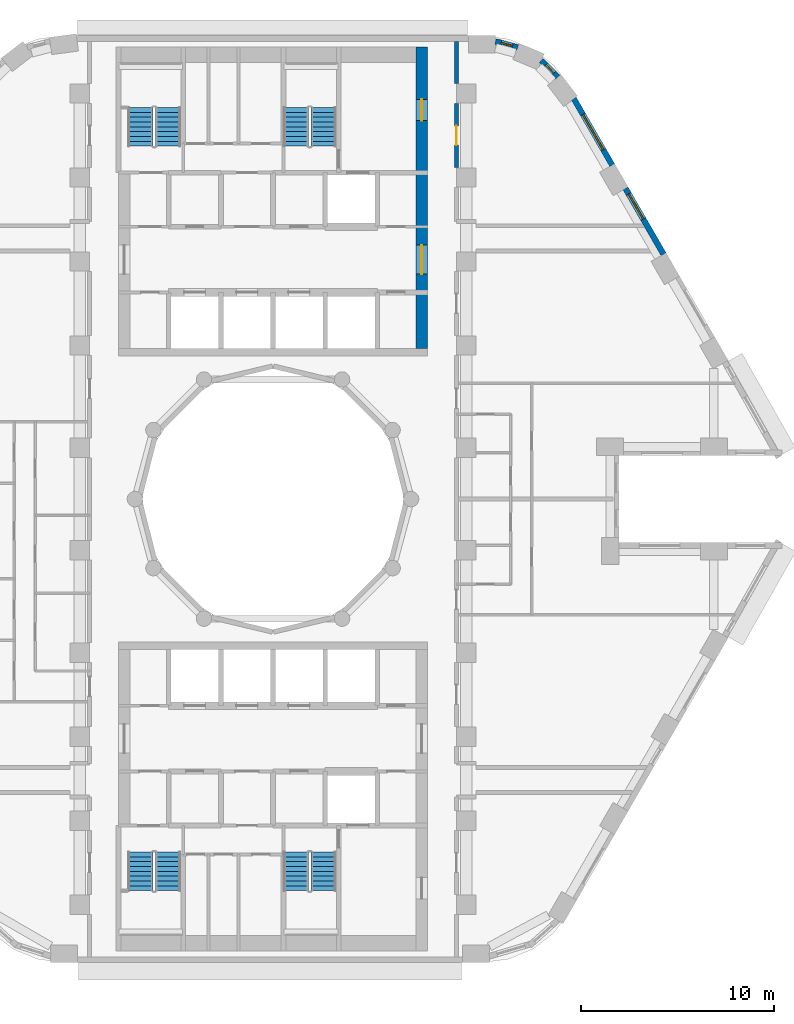
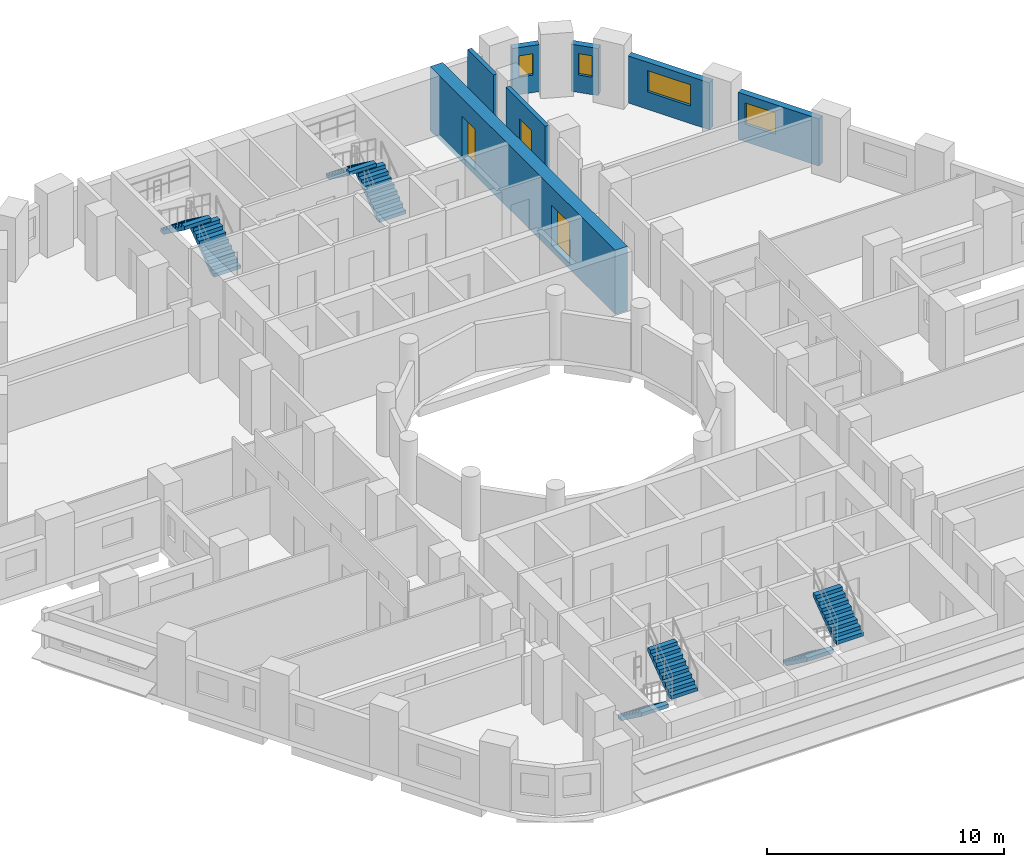
# One storey, part 9 of 12: 8 stair flights, 7 walls, 4 windows, 3 doors, 7 openings, 4 elements without a shape of their own.
"""IFC4 building model written with IfcOpenShell, lengths in metres."""

from ifc_helpers import new_model, si_unit, direction, frame, frame_2d, origin, place, context, subcontext, project, spatial, polyline, rectangle, outline, extrude, material, layer, layer_set, type_object, element, fill, aggregate, save


model = new_model("IFC4")

# Units and contexts
model_context = context("Model", 3, precision=1e-05, world=origin(), true_north=direction((0.0, 1.0)))
body_context = subcontext(model_context, "Body", "Model", "MODEL_VIEW")
ifc_project = project(units=[si_unit("LENGTHUNIT", "METRE"), si_unit("AREAUNIT", "SQUARE_METRE"), si_unit("VOLUMEUNIT", "CUBIC_METRE"), si_unit("PLANEANGLEUNIT", "RADIAN"), si_unit("MASSUNIT", "GRAM", prefix="KILO")], contexts=[model_context])

# Site, building, storey
site_placement = place(None, origin())
site = spatial("IfcSite", under=ifc_project, at=site_placement, CompositionType="ELEMENT")
building_placement = place(site_placement, origin())
building = spatial("IfcBuilding", under=site, at=building_placement, Name="Nakaniwa Court", CompositionType="ELEMENT")
storey_placement = place(building_placement, frame((0.0, 0.0, 87.60009765625)))
storey = spatial("IfcBuildingStorey", under=building, at=storey_placement, Name="L22", CompositionType="ELEMENT", Elevation=87.60009765625)

# Wall, opening, door
ifc_material_1 = material(Name="Acoustic double stud partition")
ifc_layer_1 = layer(ifc_material_1, 0.199951171875)
ifc_layer_set_1 = layer_set([ifc_layer_1], Name="Acoustic double stud partition")
wall_type_1 = type_object("IfcWallType", Name="Acoustic double stud partition 200", PredefinedType="PARTITIONING", material=ifc_layer_set_1)
wall_1_placement = place(storey_placement, frame((89.5, 100.48291015625, 0.0), z_axis=(0.0, 0.0, 1.0), x_axis=(0.0, -1.0, 0.0)))
wall_1 = element("IfcWall", 1, at=wall_1_placement, inside=storey, type_object=wall_type_1, Name="Partition PW-079", PredefinedType="PARTITIONING", context=body_context, shape_type="SweptSolid", body=[
    extrude(rectangle(XDim=3.31591796875, YDim=0.199951171875, at=frame_2d((1.657958984375, 0.0))), origin(), (0.0, 0.0, 1.0), 3.02490234375),
])
opening_1_placement = place(wall_1_placement, frame((1.157958984375, 0.0, 0.0)))
opening_1 = element("IfcOpeningElement", 2, at=opening_1_placement, cuts=wall_1, Name="Opening D-02-07", PredefinedType="OPENING", context=body_context, shape_type="SweptSolid", body=[
    extrude(rectangle(XDim=1.0, YDim=2.10009765625, at=frame_2d((0.5, 1.050048828125))), frame((0.0, 0.10986328125, 0.0), z_axis=(0.0, -1.0, 0.0), x_axis=(1.0, 0.0, 0.0)), (0.0, 0.0, 1.0), 0.219970703125),
])
ifc_material_2 = material(Name="Solid core timber door set, black veneer", Category="wood")
door_type_1 = type_object("IfcDoorType", Name="Internal door 1000", OperationType="NOTDEFINED", PredefinedType="DOOR", material=ifc_material_2)
door_1_placement = place(opening_1_placement, origin())
door_1 = element("IfcDoor", 3, at=door_1_placement, inside=storey, type_object=door_type_1, Name="Door D-02-07 L22-049", OperationType="SINGLE_SWING_RIGHT", OverallHeight=2.10009765625, OverallWidth=1.0, PredefinedType="DOOR", context=body_context, shape_type="SweptSolid", body=[
    extrude(rectangle(XDim=1.0, YDim=2.10009765625, at=frame_2d((0.5, 1.050048828125))), frame((0.0, 0.02490234375, 0.0), z_axis=(0.0, -1.0, 0.0), x_axis=(1.0, 0.0, 0.0)), (0.0, 0.0, 1.0), 0.050048828125),
])
fill(opening_1, door_1)

# Wall
wall_2_placement = place(storey_placement, frame((89.5, 101.51708984375, 0.0), z_axis=(0.0, 0.0, 1.0), x_axis=(0.0, 1.0, 0.0)))
element("IfcWall", 4, at=wall_2_placement, inside=storey, type_object=wall_type_1, Name="Partition PW-080", PredefinedType="PARTITIONING", context=body_context, shape_type="SweptSolid", body=[
    extrude(rectangle(XDim=2.182861328125, YDim=0.199951171875, at=frame_2d((1.09130859375, 0.0))), origin(), (0.0, 0.0, 1.0), 3.02490234375),
])

# Wall, opening, window
ifc_material_3 = material(Name="Charcoal ceramic cladding")
ifc_layer_2 = layer(ifc_material_3, 0.02, Name="Ceramic cladding")
ifc_material_4 = material(Name="Ventilated air cavity")
ifc_layer_3 = layer(ifc_material_4, 0.04, ventilated=True, Name="Ventilated cavity")
ifc_material_5 = material(Name="Mineral wool insulation")
ifc_layer_4 = layer(ifc_material_5, 0.1, Name="Insulation")
ifc_material_6 = material(Name="Cement bonded sheathing board")
ifc_layer_5 = layer(ifc_material_6, 0.012, Name="Sheathing")
ifc_material_7 = material(Name="Cold-formed galvanised stud frame with mineral wool infill")
ifc_layer_6 = layer(ifc_material_7, 0.1, Name="Stud frame")
ifc_material_8 = material(Name="Fire-rated gypsum plasterboard lining")
ifc_layer_7 = layer(ifc_material_8, 0.028, Name="Lining")
ifc_layer_set_2 = layer_set([ifc_layer_2, ifc_layer_3, ifc_layer_4, ifc_layer_5, ifc_layer_6, ifc_layer_7], Name="Charcoal ceramic faced external wall system")
wall_type_2 = type_object("IfcWallType", Name="Black ceramic faced external wall 300", PredefinedType="SOLIDWALL", material=ifc_layer_set_2)
wall_3_placement = place(storey_placement, frame((100.22021484375, 92.677490234375, 0.0), z_axis=(0.0, 0.0, 1.0), x_axis=(-0.499957037901, 0.866050206543, 0.0)))
wall_3 = element("IfcWall", 5, at=wall_3_placement, inside=storey, type_object=wall_type_2, Name="L22 external wall 04", PredefinedType="SOLIDWALL", context=body_context, shape_type="SweptSolid", body=[
    extrude(rectangle(XDim=3.933837890625, YDim=0.300048828125, at=frame_2d((1.966796875, 0.0))), origin(), (0.0, 0.0, 1.0), 2.4248046875),
])
opening_2_placement = place(wall_3_placement, frame((2.104248046875, 0.0, 0.89990234375)))
opening_2 = element("IfcOpeningElement", 6, at=opening_2_placement, cuts=wall_3, Name="Opening W5.06", PredefinedType="OPENING", context=body_context, shape_type="SweptSolid", body=[
    extrude(rectangle(XDim=1.5, YDim=1.10009765625, at=frame_2d((0.75, 0.550048828125))), frame((0.0, 0.159912109375, 0.0), z_axis=(0.0, -1.0, 0.0), x_axis=(1.0, 0.0, 0.0)), (0.0, 0.0, 1.0), 0.320068359375),
])
ifc_material_9 = material(Name="Black anodised aluminium frame with dark low-E laminated double glazing", Category="aluminium")
window_type_1 = type_object("IfcWindowType", Name="Dark glass window 1500x1100 sill 900", PartitioningType="SINGLE_PANEL", PredefinedType="WINDOW", material=ifc_material_9)
window_1_placement = place(opening_2_placement, origin())
window_1 = element("IfcWindow", 7, at=window_1_placement, inside=storey, type_object=window_type_1, Name="L22 habitable room window 04-2", OverallHeight=1.10009765625, OverallWidth=1.5, PartitioningType="SINGLE_PANEL", PredefinedType="WINDOW", context=body_context, shape_type="SweptSolid", body=[
    extrude(rectangle(XDim=1.5, YDim=1.10009765625, at=frame_2d((0.75, 0.550048828125))), frame((0.0, 0.030029296875, 0.0), z_axis=(0.0, -1.0, 0.0), x_axis=(1.0, 0.0, 0.0)), (0.0, 0.0, 1.0), 0.06005859375),
])
fill(opening_2, window_1)

wall_4_placement = place(storey_placement, frame((97.557373046875, 97.289794921875, 0.0), z_axis=(0.0, 0.0, 1.0), x_axis=(-0.500043828347, 0.866000097998, 0.0)))
wall_4 = element("IfcWall", 8, at=wall_4_placement, inside=storey, type_object=wall_type_2, Name="L22 external wall 05", PredefinedType="SOLIDWALL", context=body_context, shape_type="SweptSolid", body=[
    extrude(rectangle(XDim=3.967529296875, YDim=0.300048828125, at=frame_2d((1.98388671875, 0.0))), origin(), (0.0, 0.0, 1.0), 2.4248046875),
])
opening_3_placement = place(wall_4_placement, frame((0.92236328125, 0.0, 0.89990234375)))
opening_3 = element("IfcOpeningElement", 9, at=opening_3_placement, cuts=wall_4, Name="Opening W7.07", PredefinedType="OPENING", context=body_context, shape_type="SweptSolid", body=[
    extrude(rectangle(XDim=2.10009765625, YDim=1.10009765625, at=frame_2d((1.050048828125, 0.550048828125))), frame((0.0, 0.159912109375, 0.0), z_axis=(0.0, -1.0, 0.0), x_axis=(1.0, 0.0, 0.0)), (0.0, 0.0, 1.0), 0.320068359375),
])
window_type_2 = type_object("IfcWindowType", Name="Dark glass window 2100x1100 sill 900", PartitioningType="SINGLE_PANEL", PredefinedType="WINDOW", material=ifc_material_9)
window_2_placement = place(opening_3_placement, origin())
window_2 = element("IfcWindow", 10, at=window_2_placement, inside=storey, type_object=window_type_2, Name="L22 habitable room window 05-0", OverallHeight=1.10009765625, OverallWidth=2.10009765625, PartitioningType="SINGLE_PANEL", PredefinedType="WINDOW", context=body_context, shape_type="SweptSolid", body=[
    extrude(rectangle(XDim=2.10009765625, YDim=1.10009765625, at=frame_2d((1.050048828125, 0.550048828125))), frame((0.0, 0.030029296875, 0.0), z_axis=(0.0, -1.0, 0.0), x_axis=(1.0, 0.0, 0.0)), (0.0, 0.0, 1.0), 0.06005859375),
])
fill(opening_3, window_2)

wall_5_placement = place(storey_placement, frame((94.738037109375, 101.839111328125, 0.0), z_axis=(0.0, 0.0, 1.0), x_axis=(-0.697032216592, 0.717039809936, 0.0)))
wall_5 = element("IfcWall", 11, at=wall_5_placement, inside=storey, type_object=wall_type_2, Name="L22 external wall 06", PredefinedType="SOLIDWALL", context=body_context, shape_type="SweptSolid", body=[
    extrude(rectangle(XDim=1.2080078125, YDim=0.300048828125, at=frame_2d((0.60400390625, 0.0))), origin(), (0.0, 0.0, 1.0), 2.4248046875),
])
opening_4_placement = place(wall_5_placement, frame((0.279296875, 0.0, 0.89990234375)))
opening_4 = element("IfcOpeningElement", 12, at=opening_4_placement, cuts=wall_5, Name="Opening W8.08", PredefinedType="OPENING", context=body_context, shape_type="SweptSolid", body=[
    extrude(rectangle(XDim=0.60009765625, YDim=1.10009765625, at=frame_2d((0.300048828125, 0.550048828125))), frame((0.0, 0.159912109375, 0.0), z_axis=(0.0, -1.0, 0.0), x_axis=(1.0, 0.0, 0.0)), (0.0, 0.0, 1.0), 0.320068359375),
])
window_type_3 = type_object("IfcWindowType", Name="Dark glass window 600x1100 sill 900", PartitioningType="SINGLE_PANEL", PredefinedType="WINDOW", material=ifc_material_9)
window_3_placement = place(opening_4_placement, origin())
window_3 = element("IfcWindow", 13, at=window_3_placement, inside=storey, type_object=window_type_3, Name="L22 habitable room window 06-0", OverallHeight=1.10009765625, OverallWidth=0.60009765625, PartitioningType="SINGLE_PANEL", PredefinedType="WINDOW", context=body_context, shape_type="SweptSolid", body=[
    extrude(rectangle(XDim=0.60009765625, YDim=1.10009765625, at=frame_2d((0.300048828125, 0.550048828125))), frame((0.0, 0.030029296875, 0.0), z_axis=(0.0, -1.0, 0.0), x_axis=(1.0, 0.0, 0.0)), (0.0, 0.0, 1.0), 0.06005859375),
])
fill(opening_4, window_3)

wall_6_placement = place(storey_placement, frame((92.669189453125, 103.3818359375, 0.0), z_axis=(0.0, 0.0, 1.0), x_axis=(-0.965278131029, 0.261224290136, 0.0)))
wall_6 = element("IfcWall", 14, at=wall_6_placement, inside=storey, type_object=wall_type_2, Name="L22 external wall 07", PredefinedType="SOLIDWALL", context=body_context, shape_type="SweptSolid", body=[
    extrude(rectangle(XDim=1.189697265625, YDim=0.300048828125, at=frame_2d((0.5947265625, 0.0))), origin(), (0.0, 0.0, 1.0), 2.4248046875),
])
opening_5_placement = place(wall_6_placement, frame((0.28466796875, 0.0, 0.89990234375)))
opening_5 = element("IfcOpeningElement", 15, at=opening_5_placement, cuts=wall_6, Name="Opening W8.09", PredefinedType="OPENING", context=body_context, shape_type="SweptSolid", body=[
    extrude(rectangle(XDim=0.60009765625, YDim=1.10009765625, at=frame_2d((0.300048828125, 0.550048828125))), frame((0.0, 0.159912109375, 0.0), z_axis=(0.0, -1.0, 0.0), x_axis=(1.0, 0.0, 0.0)), (0.0, 0.0, 1.0), 0.320068359375),
])
window_4_placement = place(opening_5_placement, origin())
window_4 = element("IfcWindow", 16, at=window_4_placement, inside=storey, type_object=window_type_3, Name="L22 habitable room window 07-0", OverallHeight=1.10009765625, OverallWidth=0.60009765625, PartitioningType="SINGLE_PANEL", PredefinedType="WINDOW", context=body_context, shape_type="SweptSolid", body=[
    extrude(rectangle(XDim=0.60009765625, YDim=1.10009765625, at=frame_2d((0.300048828125, 0.550048828125))), frame((0.0, 0.030029296875, 0.0), z_axis=(0.0, -1.0, 0.0), x_axis=(1.0, 0.0, 0.0)), (0.0, 0.0, 1.0), 0.06005859375),
])
fill(opening_5, window_4)

# Wall, openings, doors
ifc_material_10 = material(Name="Concrete C80/100", Category="concrete")
ifc_layer_8 = layer(ifc_material_10, 0.60009765625)
ifc_layer_set_3 = layer_set([ifc_layer_8], Name="Concrete C80/100")
wall_type_3 = type_object("IfcWallType", Name="Concrete core side wall 600 C80", PredefinedType="SHEAR", material=ifc_layer_set_3)
wall_7_placement = place(storey_placement, frame((87.699951171875, 103.39990234375, -0.275146484375), z_axis=(0.0, 0.0, 1.0), x_axis=(0.0, -1.0, 0.0)))
wall_7 = element("IfcWall", 17, at=wall_7_placement, inside=storey, type_object=wall_type_3, Name="Core wall SW-15", PredefinedType="SHEAR", context=body_context, shape_type="SweptSolid", body=[
    extrude(rectangle(XDim=15.599853515625, YDim=0.60009765625, at=frame_2d((7.7998046875, 0.0))), origin(), (0.0, 0.0, 1.0), 3.300048828125),
])
opening_6_placement = place(wall_7_placement, frame((10.25, 0.0, 0.27490234375)))
opening_6 = element("IfcOpeningElement", 18, at=opening_6_placement, cuts=wall_7, Name="Opening D-07-01", PredefinedType="OPENING", context=body_context, shape_type="SweptSolid", body=[
    extrude(rectangle(XDim=1.5, YDim=2.10009765625, at=frame_2d((0.75, 1.050048828125))), frame((0.0, 0.31005859375, 0.0), z_axis=(0.0, -1.0, 0.0), x_axis=(1.0, 0.0, 0.0)), (0.0, 0.0, 1.0), 0.6201171875),
])
opening_7_placement = place(wall_7_placement, frame((2.699951171875, 0.0, 0.27490234375)))
opening_7 = element("IfcOpeningElement", 19, at=opening_7_placement, cuts=wall_7, Name="Opening D-10-01", PredefinedType="OPENING", context=body_context, shape_type="SweptSolid", body=[
    extrude(rectangle(XDim=1.10009765625, YDim=2.10009765625, at=frame_2d((0.550048828125, 1.050048828125))), frame((0.0, 0.31005859375, 0.0), z_axis=(0.0, -1.0, 0.0), x_axis=(1.0, 0.0, 0.0)), (0.0, 0.0, 1.0), 0.6201171875),
])
ifc_material_11 = material(Name="Fire rated steel door set", Category="steel")
door_type_2 = type_object("IfcDoorType", Name="Firefighting lobby door 1100", OperationType="NOTDEFINED", PredefinedType="DOOR", material=ifc_material_11)
door_2_placement = place(opening_7_placement, origin())
door_2 = element("IfcDoor", 20, at=door_2_placement, inside=storey, type_object=door_type_2, Name="Door D-10-01 L22-053", OperationType="SINGLE_SWING_RIGHT", OverallHeight=2.10009765625, OverallWidth=1.10009765625, PredefinedType="DOOR", context=body_context, shape_type="SweptSolid", body=[
    extrude(rectangle(XDim=1.10009765625, YDim=2.10009765625, at=frame_2d((0.550048828125, 1.050048828125))), frame((0.0, 0.02490234375, 0.0), z_axis=(0.0, -1.0, 0.0), x_axis=(1.0, 0.0, 0.0)), (0.0, 0.0, 1.0), 0.050048828125),
])
fill(opening_7, door_2)
ifc_material_12 = material(Name="Glazed fire rated steel double door set", Category="steel")
door_type_3 = type_object("IfcDoorType", Name="Lobby double door 1500", OperationType="NOTDEFINED", PredefinedType="DOOR", material=ifc_material_12)
door_3_placement = place(opening_6_placement, origin())
door_3 = element("IfcDoor", 21, at=door_3_placement, inside=storey, type_object=door_type_3, Name="Door D-07-01 L22-051", OperationType="DOUBLE_DOOR_SINGLE_SWING", OverallHeight=2.10009765625, OverallWidth=1.5, PredefinedType="DOOR", context=body_context, shape_type="SweptSolid", body=[
    extrude(rectangle(XDim=1.5, YDim=2.10009765625, at=frame_2d((0.75, 1.050048828125))), frame((0.0, 0.02490234375, 0.0), z_axis=(0.0, -1.0, 0.0), x_axis=(1.0, 0.0, 0.0)), (0.0, 0.0, 1.0), 0.050048828125),
])
fill(opening_6, door_3)

# Stair, stair flights
stair_type = type_object("IfcStairType", Name="Dog leg stair 1300 wide 18 risers", PredefinedType="HALF_TURN_STAIR", material=ifc_material_10)
stair_1_placement = place(storey_placement, origin())
stair_1 = element("IfcStair", 22, at=stair_1_placement, inside=storey, type_object=stair_type, Name="L22 Stair ST1", PredefinedType="HALF_TURN_STAIR")
stair_flight_type = type_object("IfcStairFlightType", Name="Stair flight 1300 wide 9 risers", PredefinedType="STRAIGHT", material=ifc_material_10)
stair_flight_1_placement = place(storey_placement, frame((74.574951171875, 98.27490234375, 0.0), z_axis=(0.0, 0.0, 1.0), x_axis=(0.0, 1.0, 0.0)))
stair_flight_1 = element("IfcStairFlight", 23, at=stair_flight_1_placement, type_object=stair_flight_type, Name="ST1 flight 1", NumberOfRisers=9, NumberOfTreads=8, PredefinedType="STRAIGHT", RiserHeight=0.183333333, TreadLength=0.25, context=body_context, shape_type="SweptSolid", body=[
    extrude(outline(polyline([(0.0, 0.0), (0.0, 0.026123046875), (0.0, 0.052490234375), (0.0, 0.07861328125), (0.0, 0.104736328125), (0.0, 0.130859375), (0.0, 0.1572265625), (0.0, 0.183349609375), (0.25, 0.183349609375), (0.25, 0.36669921875), (0.5, 0.36669921875), (0.5, 0.550048828125), (0.75, 0.550048828125), (0.75, 0.7333984375), (1.0, 0.7333984375), (1.0, 0.916748046875), (1.25, 0.916748046875), (1.25, 1.10009765625), (1.5, 1.10009765625), (1.5, 1.283447265625), (1.75, 1.283447265625), (1.75, 1.466552734375), (2.0, 1.466552734375), (2.0, 1.64990234375), (2.0, 1.59716796875), (2.0, 1.54443359375), (2.0, 1.49169921875), (2.0, 1.43896484375), (2.0, 1.38623046875), (2.0, 1.33349609375), (2.0, 1.28076171875), (0.25341796875, 0.0), (0.0, 0.0)])), frame((0.0, 0.64990234375, 0.0), z_axis=(0.0, -1.0, 0.0), x_axis=(1.0, 0.0, 0.0)), (0.0, 0.0, 1.0), 1.300048828125),
])
stair_flight_2_placement = place(storey_placement, frame((73.125, 100.27490234375, 1.64990234375), z_axis=(0.0, 0.0, 1.0), x_axis=(0.0, -1.0, 0.0)))
stair_flight_2 = element("IfcStairFlight", 24, at=stair_flight_2_placement, type_object=stair_flight_type, Name="ST1 flight 2", NumberOfRisers=9, NumberOfTreads=8, PredefinedType="STRAIGHT", RiserHeight=0.183333333, TreadLength=0.25, context=body_context, shape_type="SweptSolid", body=[
    extrude(outline(polyline([(0.0, 0.0), (0.0, 0.026123046875), (0.0, 0.052490234375), (0.0, 0.07861328125), (0.0, 0.104736328125), (0.0, 0.130859375), (0.0, 0.1572265625), (0.0, 0.183349609375), (0.25, 0.183349609375), (0.25, 0.36669921875), (0.5, 0.36669921875), (0.5, 0.550048828125), (0.75, 0.550048828125), (0.75, 0.7333984375), (1.0, 0.7333984375), (1.0, 0.916748046875), (1.25, 0.916748046875), (1.25, 1.10009765625), (1.5, 1.10009765625), (1.5, 1.283447265625), (1.75, 1.283447265625), (1.75, 1.466552734375), (2.0, 1.466552734375), (2.0, 1.64990234375), (2.0, 1.59716796875), (2.0, 1.54443359375), (2.0, 1.49169921875), (2.0, 1.43896484375), (2.0, 1.38623046875), (2.0, 1.33349609375), (2.0, 1.28076171875), (0.25341796875, 0.0), (0.0, 0.0)])), frame((0.0, 0.64990234375, 0.0), z_axis=(0.0, -1.0, 0.0), x_axis=(1.0, 0.0, 0.0)), (0.0, 0.0, 1.0), 1.300048828125),
])
aggregate(stair_1, [stair_flight_1, stair_flight_2])

stair_2_placement = place(storey_placement, origin())
stair_2 = element("IfcStair", 25, at=stair_2_placement, inside=storey, type_object=stair_type, Name="L22 Stair ST2", PredefinedType="HALF_TURN_STAIR")
stair_flight_3_placement = place(storey_placement, frame((82.625, 98.27490234375, 0.0), z_axis=(0.0, 0.0, 1.0), x_axis=(0.0, 1.0, 0.0)))
stair_flight_3 = element("IfcStairFlight", 26, at=stair_flight_3_placement, type_object=stair_flight_type, Name="ST2 flight 1", NumberOfRisers=9, NumberOfTreads=8, PredefinedType="STRAIGHT", RiserHeight=0.183333333, TreadLength=0.25, context=body_context, shape_type="SweptSolid", body=[
    extrude(outline(polyline([(0.0, 0.0), (0.0, 0.026123046875), (0.0, 0.052490234375), (0.0, 0.07861328125), (0.0, 0.104736328125), (0.0, 0.130859375), (0.0, 0.1572265625), (0.0, 0.183349609375), (0.25, 0.183349609375), (0.25, 0.36669921875), (0.5, 0.36669921875), (0.5, 0.550048828125), (0.75, 0.550048828125), (0.75, 0.7333984375), (1.0, 0.7333984375), (1.0, 0.916748046875), (1.25, 0.916748046875), (1.25, 1.10009765625), (1.5, 1.10009765625), (1.5, 1.283447265625), (1.75, 1.283447265625), (1.75, 1.466552734375), (2.0, 1.466552734375), (2.0, 1.64990234375), (2.0, 1.59716796875), (2.0, 1.54443359375), (2.0, 1.49169921875), (2.0, 1.43896484375), (2.0, 1.38623046875), (2.0, 1.33349609375), (2.0, 1.28076171875), (0.25341796875, 0.0), (0.0, 0.0)])), frame((0.0, 0.64990234375, 0.0), z_axis=(0.0, -1.0, 0.0), x_axis=(1.0, 0.0, 0.0)), (0.0, 0.0, 1.0), 1.300048828125),
])
stair_flight_4_placement = place(storey_placement, frame((81.175048828125, 100.27490234375, 1.64990234375), z_axis=(0.0, 0.0, 1.0), x_axis=(0.0, -1.0, 0.0)))
stair_flight_4 = element("IfcStairFlight", 27, at=stair_flight_4_placement, type_object=stair_flight_type, Name="ST2 flight 2", NumberOfRisers=9, NumberOfTreads=8, PredefinedType="STRAIGHT", RiserHeight=0.183333333, TreadLength=0.25, context=body_context, shape_type="SweptSolid", body=[
    extrude(outline(polyline([(0.0, 0.0), (0.0, 0.026123046875), (0.0, 0.052490234375), (0.0, 0.07861328125), (0.0, 0.104736328125), (0.0, 0.130859375), (0.0, 0.1572265625), (0.0, 0.183349609375), (0.25, 0.183349609375), (0.25, 0.36669921875), (0.5, 0.36669921875), (0.5, 0.550048828125), (0.75, 0.550048828125), (0.75, 0.7333984375), (1.0, 0.7333984375), (1.0, 0.916748046875), (1.25, 0.916748046875), (1.25, 1.10009765625), (1.5, 1.10009765625), (1.5, 1.283447265625), (1.75, 1.283447265625), (1.75, 1.466552734375), (2.0, 1.466552734375), (2.0, 1.64990234375), (2.0, 1.59716796875), (2.0, 1.54443359375), (2.0, 1.49169921875), (2.0, 1.43896484375), (2.0, 1.38623046875), (2.0, 1.33349609375), (2.0, 1.28076171875), (0.25341796875, 0.0), (0.0, 0.0)])), frame((0.0, 0.64990234375, 0.0), z_axis=(0.0, -1.0, 0.0), x_axis=(1.0, 0.0, 0.0)), (0.0, 0.0, 1.0), 1.300048828125),
])
aggregate(stair_2, [stair_flight_3, stair_flight_4])

stair_3_placement = place(storey_placement, origin())
stair_3 = element("IfcStair", 28, at=stair_3_placement, inside=storey, type_object=stair_type, Name="L22 Stair ST3", PredefinedType="HALF_TURN_STAIR")
stair_flight_5_placement = place(storey_placement, frame((73.125, 61.72509765625, 0.0), z_axis=(0.0, 0.0, 1.0), x_axis=(0.0, -1.0, 0.0)))
stair_flight_5 = element("IfcStairFlight", 29, at=stair_flight_5_placement, type_object=stair_flight_type, Name="ST3 flight 1", NumberOfRisers=9, NumberOfTreads=8, PredefinedType="STRAIGHT", RiserHeight=0.183333333, TreadLength=0.25, context=body_context, shape_type="SweptSolid", body=[
    extrude(outline(polyline([(0.0, 0.0), (0.0, 0.026123046875), (0.0, 0.052490234375), (0.0, 0.07861328125), (0.0, 0.104736328125), (0.0, 0.130859375), (0.0, 0.1572265625), (0.0, 0.183349609375), (0.25, 0.183349609375), (0.25, 0.36669921875), (0.5, 0.36669921875), (0.5, 0.550048828125), (0.75, 0.550048828125), (0.75, 0.7333984375), (1.0, 0.7333984375), (1.0, 0.916748046875), (1.25, 0.916748046875), (1.25, 1.10009765625), (1.5, 1.10009765625), (1.5, 1.283447265625), (1.75, 1.283447265625), (1.75, 1.466552734375), (2.0, 1.466552734375), (2.0, 1.64990234375), (2.0, 1.59716796875), (2.0, 1.54443359375), (2.0, 1.49169921875), (2.0, 1.43896484375), (2.0, 1.38623046875), (2.0, 1.33349609375), (2.0, 1.28076171875), (0.25341796875, 0.0), (0.0, 0.0)])), frame((0.0, 0.64990234375, 0.0), z_axis=(0.0, -1.0, 0.0), x_axis=(1.0, 0.0, 0.0)), (0.0, 0.0, 1.0), 1.300048828125),
])
stair_flight_6_placement = place(storey_placement, frame((74.574951171875, 59.72509765625, 1.64990234375), z_axis=(0.0, 0.0, 1.0), x_axis=(0.0, 1.0, 0.0)))
stair_flight_6 = element("IfcStairFlight", 30, at=stair_flight_6_placement, type_object=stair_flight_type, Name="ST3 flight 2", NumberOfRisers=9, NumberOfTreads=8, PredefinedType="STRAIGHT", RiserHeight=0.183333333, TreadLength=0.25, context=body_context, shape_type="SweptSolid", body=[
    extrude(outline(polyline([(0.0, 0.0), (0.0, 0.026123046875), (0.0, 0.052490234375), (0.0, 0.07861328125), (0.0, 0.104736328125), (0.0, 0.130859375), (0.0, 0.1572265625), (0.0, 0.183349609375), (0.25, 0.183349609375), (0.25, 0.36669921875), (0.5, 0.36669921875), (0.5, 0.550048828125), (0.75, 0.550048828125), (0.75, 0.7333984375), (1.0, 0.7333984375), (1.0, 0.916748046875), (1.25, 0.916748046875), (1.25, 1.10009765625), (1.5, 1.10009765625), (1.5, 1.283447265625), (1.75, 1.283447265625), (1.75, 1.466552734375), (2.0, 1.466552734375), (2.0, 1.64990234375), (2.0, 1.59716796875), (2.0, 1.54443359375), (2.0, 1.49169921875), (2.0, 1.43896484375), (2.0, 1.38623046875), (2.0, 1.33349609375), (2.0, 1.28076171875), (0.25341796875, 0.0), (0.0, 0.0)])), frame((0.0, 0.64990234375, 0.0), z_axis=(0.0, -1.0, 0.0), x_axis=(1.0, 0.0, 0.0)), (0.0, 0.0, 1.0), 1.300048828125),
])
aggregate(stair_3, [stair_flight_5, stair_flight_6])

stair_4_placement = place(storey_placement, origin())
stair_4 = element("IfcStair", 31, at=stair_4_placement, inside=storey, type_object=stair_type, Name="L22 Stair ST4", PredefinedType="HALF_TURN_STAIR")
stair_flight_7_placement = place(storey_placement, frame((81.175048828125, 61.72509765625, 0.0), z_axis=(0.0, 0.0, 1.0), x_axis=(0.0, -1.0, 0.0)))
stair_flight_7 = element("IfcStairFlight", 32, at=stair_flight_7_placement, type_object=stair_flight_type, Name="ST4 flight 1", NumberOfRisers=9, NumberOfTreads=8, PredefinedType="STRAIGHT", RiserHeight=0.183333333, TreadLength=0.25, context=body_context, shape_type="SweptSolid", body=[
    extrude(outline(polyline([(0.0, 0.0), (0.0, 0.026123046875), (0.0, 0.052490234375), (0.0, 0.07861328125), (0.0, 0.104736328125), (0.0, 0.130859375), (0.0, 0.1572265625), (0.0, 0.183349609375), (0.25, 0.183349609375), (0.25, 0.36669921875), (0.5, 0.36669921875), (0.5, 0.550048828125), (0.75, 0.550048828125), (0.75, 0.7333984375), (1.0, 0.7333984375), (1.0, 0.916748046875), (1.25, 0.916748046875), (1.25, 1.10009765625), (1.5, 1.10009765625), (1.5, 1.283447265625), (1.75, 1.283447265625), (1.75, 1.466552734375), (2.0, 1.466552734375), (2.0, 1.64990234375), (2.0, 1.59716796875), (2.0, 1.54443359375), (2.0, 1.49169921875), (2.0, 1.43896484375), (2.0, 1.38623046875), (2.0, 1.33349609375), (2.0, 1.28076171875), (0.25341796875, 0.0), (0.0, 0.0)])), frame((0.0, 0.64990234375, 0.0), z_axis=(0.0, -1.0, 0.0), x_axis=(1.0, 0.0, 0.0)), (0.0, 0.0, 1.0), 1.300048828125),
])
stair_flight_8_placement = place(storey_placement, frame((82.625, 59.72509765625, 1.64990234375), z_axis=(0.0, 0.0, 1.0), x_axis=(0.0, 1.0, 0.0)))
stair_flight_8 = element("IfcStairFlight", 33, at=stair_flight_8_placement, type_object=stair_flight_type, Name="ST4 flight 2", NumberOfRisers=9, NumberOfTreads=8, PredefinedType="STRAIGHT", RiserHeight=0.183333333, TreadLength=0.25, context=body_context, shape_type="SweptSolid", body=[
    extrude(outline(polyline([(0.0, 0.0), (0.0, 0.026123046875), (0.0, 0.052490234375), (0.0, 0.07861328125), (0.0, 0.104736328125), (0.0, 0.130859375), (0.0, 0.1572265625), (0.0, 0.183349609375), (0.25, 0.183349609375), (0.25, 0.36669921875), (0.5, 0.36669921875), (0.5, 0.550048828125), (0.75, 0.550048828125), (0.75, 0.7333984375), (1.0, 0.7333984375), (1.0, 0.916748046875), (1.25, 0.916748046875), (1.25, 1.10009765625), (1.5, 1.10009765625), (1.5, 1.283447265625), (1.75, 1.283447265625), (1.75, 1.466552734375), (2.0, 1.466552734375), (2.0, 1.64990234375), (2.0, 1.59716796875), (2.0, 1.54443359375), (2.0, 1.49169921875), (2.0, 1.43896484375), (2.0, 1.38623046875), (2.0, 1.33349609375), (2.0, 1.28076171875), (0.25341796875, 0.0), (0.0, 0.0)])), frame((0.0, 0.64990234375, 0.0), z_axis=(0.0, -1.0, 0.0), x_axis=(1.0, 0.0, 0.0)), (0.0, 0.0, 1.0), 1.300048828125),
])
aggregate(stair_4, [stair_flight_7, stair_flight_8])

save(model, "model.ifc")
